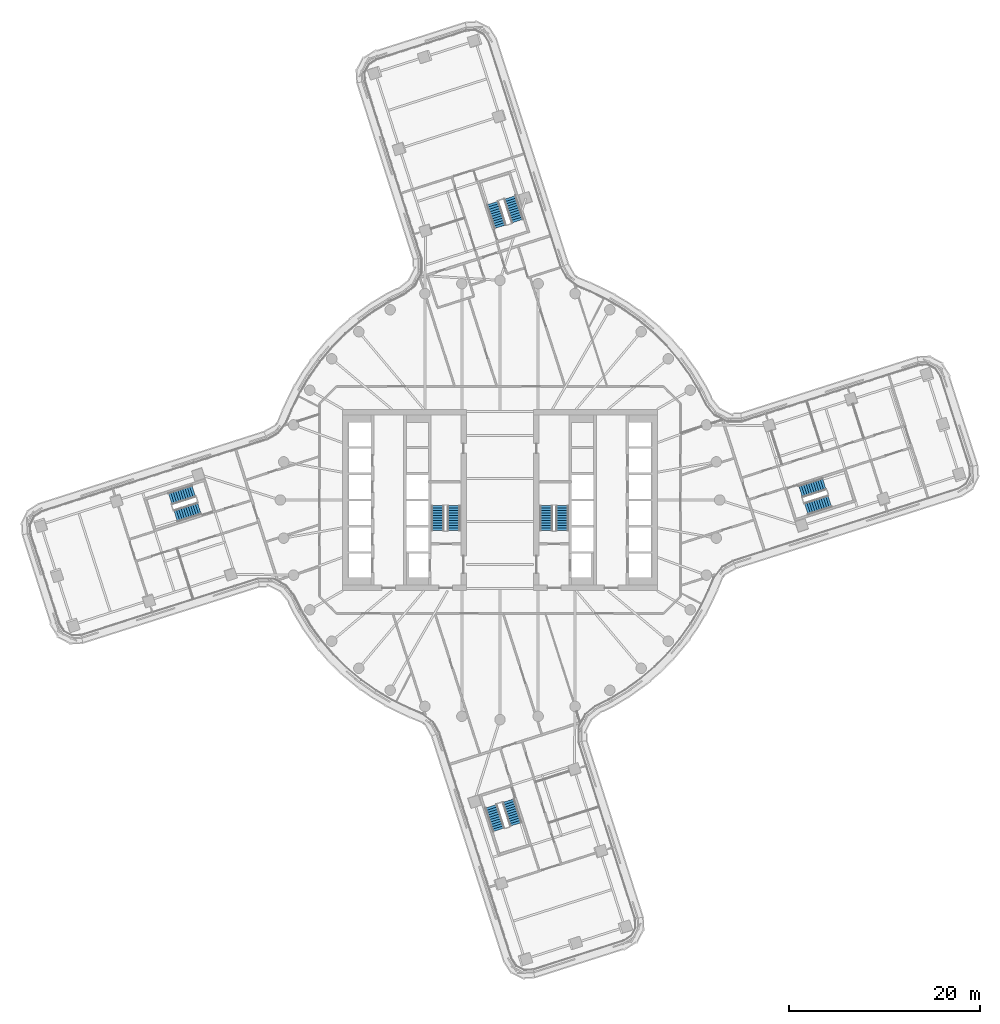
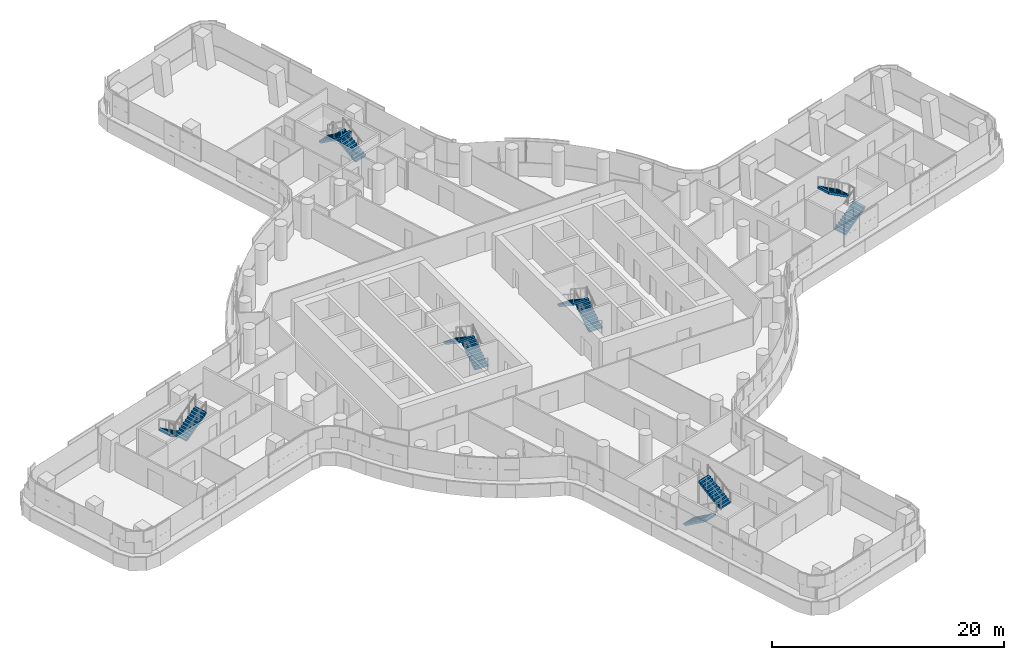
# One storey, part 23 of 30: 12 stair flights, 6 elements without a shape of their own.
"""IFC4 building model written with IfcOpenShell, lengths in metres."""

from ifc_helpers import new_model, si_unit, direction, frame, origin, place, context, subcontext, project, spatial, polyline, outline, extrude, material, type_object, element, aggregate, save


model = new_model("IFC4")

# Units and contexts
model_context = context("Model", 3, precision=1e-05, world=origin(), true_north=direction((0.0, 1.0)))
body_context = subcontext(model_context, "Body", "Model", "MODEL_VIEW")
ifc_project = project(units=[si_unit("LENGTHUNIT", "METRE"), si_unit("AREAUNIT", "SQUARE_METRE"), si_unit("VOLUMEUNIT", "CUBIC_METRE"), si_unit("PLANEANGLEUNIT", "RADIAN"), si_unit("MASSUNIT", "GRAM", prefix="KILO")], contexts=[model_context])

# Site, building, storey
site_placement = place(None, origin())
site = spatial("IfcSite", under=ifc_project, at=site_placement, CompositionType="ELEMENT")
building_placement = place(site_placement, origin())
building = spatial("IfcBuilding", under=site, at=building_placement, Name="Tamarind Cross Interchange Tower", CompositionType="ELEMENT")
storey_placement = place(building_placement, frame((0.0, 0.0, 98.5)))
storey = spatial("IfcBuildingStorey", under=building, at=storey_placement, Name="L23", CompositionType="ELEMENT", Elevation=98.5)

# Stair, stair flights
ifc_material_1 = material(Name="Exit stair")
stair_type = type_object("IfcStairType", Name="Exit stair", PredefinedType="HALF_TURN_STAIR", material=ifc_material_1)
stair_1_placement = place(storey_placement, origin())
stair_1 = element("IfcStair", 1, at=stair_1_placement, inside=storey, type_object=stair_type, Name="L23 exit stair ST1", PredefinedType="HALF_TURN_STAIR")
ifc_material_2 = material(Name="Exit stair flight")
stair_flight_type = type_object("IfcStairFlightType", Name="Exit stair flight", PredefinedType="STRAIGHT", material=ifc_material_2)
stair_flight_1_placement = place(storey_placement, frame((-4.85009765625, -3.199951171875, 0.0), z_axis=(0.0, 0.0, 1.0), x_axis=(0.0, 1.0, 0.0)))
stair_flight_1 = element("IfcStairFlight", 2, at=stair_flight_1_placement, type_object=stair_flight_type, Name="ST1 flight 1", NumberOfRisers=11, NumberOfTreads=10, PredefinedType="STRAIGHT", RiserHeight=0.170454545, TreadLength=0.26, context=body_context, shape_type="SweptSolid", body=[
    extrude(outline(polyline([(0.0, 0.0), (0.0, 0.17041015625), (0.260009765625, 0.17041015625), (0.260009765625, 0.3408203125), (0.52001953125, 0.3408203125), (0.52001953125, 0.511474609375), (0.780029296875, 0.511474609375), (0.780029296875, 0.681884765625), (1.0400390625, 0.681884765625), (1.0400390625, 0.852294921875), (1.300048828125, 0.852294921875), (1.300048828125, 1.022705078125), (1.56005859375, 1.022705078125), (1.56005859375, 1.193115234375), (1.820068359375, 1.193115234375), (1.820068359375, 1.363525390625), (2.080078125, 1.363525390625), (2.080078125, 1.5341796875), (2.340087890625, 1.5341796875), (2.340087890625, 1.70458984375), (2.60009765625, 1.70458984375), (2.60009765625, 1.875), (2.60009765625, 1.525390625), (0.2734375, 0.0), (0.0, 0.0)])), frame((0.0, 0.64990234375, 0.0), z_axis=(0.0, -1.0, 0.0), x_axis=(1.0, 0.0, 0.0)), (0.0, 0.0, 1.0), 1.300048828125),
])
stair_flight_2_placement = place(storey_placement, frame((-6.5, -0.60009765625, 1.875), z_axis=(0.0, 0.0, 1.0), x_axis=(0.0, -1.0, 0.0)))
stair_flight_2 = element("IfcStairFlight", 3, at=stair_flight_2_placement, type_object=stair_flight_type, Name="ST1 flight 2", NumberOfRisers=11, NumberOfTreads=10, PredefinedType="STRAIGHT", RiserHeight=0.170454545, TreadLength=0.26, context=body_context, shape_type="SweptSolid", body=[
    extrude(outline(polyline([(0.0, 0.0), (0.0, 0.17041015625), (0.260009765625, 0.17041015625), (0.260009765625, 0.3408203125), (0.52001953125, 0.3408203125), (0.52001953125, 0.511474609375), (0.780029296875, 0.511474609375), (0.780029296875, 0.681884765625), (1.0400390625, 0.681884765625), (1.0400390625, 0.852294921875), (1.300048828125, 0.852294921875), (1.300048828125, 1.022705078125), (1.56005859375, 1.022705078125), (1.56005859375, 1.193115234375), (1.820068359375, 1.193115234375), (1.820068359375, 1.363525390625), (2.080078125, 1.363525390625), (2.080078125, 1.5341796875), (2.340087890625, 1.5341796875), (2.340087890625, 1.70458984375), (2.60009765625, 1.70458984375), (2.60009765625, 1.7548828125), (2.612060546875, 1.7548828125), (2.612060546875, 1.533203125), (0.2734375, 0.0), (0.0, 0.0)])), frame((0.0, 0.64990234375, 0.0), z_axis=(0.0, -1.0, 0.0), x_axis=(1.0, 0.0, 0.0)), (0.0, 0.0, 1.0), 1.300048828125),
])
aggregate(stair_1, [stair_flight_1, stair_flight_2])

stair_2_placement = place(storey_placement, origin())
stair_2 = element("IfcStair", 4, at=stair_2_placement, inside=storey, type_object=stair_type, Name="L23 exit stair ST2", PredefinedType="HALF_TURN_STAIR")
stair_flight_3_placement = place(storey_placement, frame((6.5, -3.199951171875, 0.0), z_axis=(0.0, 0.0, 1.0), x_axis=(0.0, 1.0, 0.0)))
stair_flight_3 = element("IfcStairFlight", 5, at=stair_flight_3_placement, type_object=stair_flight_type, Name="ST2 flight 1", NumberOfRisers=11, NumberOfTreads=10, PredefinedType="STRAIGHT", RiserHeight=0.170454545, TreadLength=0.26, context=body_context, shape_type="SweptSolid", body=[
    extrude(outline(polyline([(0.0, 0.0), (0.0, 0.17041015625), (0.260009765625, 0.17041015625), (0.260009765625, 0.3408203125), (0.52001953125, 0.3408203125), (0.52001953125, 0.511474609375), (0.780029296875, 0.511474609375), (0.780029296875, 0.681884765625), (1.0400390625, 0.681884765625), (1.0400390625, 0.852294921875), (1.300048828125, 0.852294921875), (1.300048828125, 1.022705078125), (1.56005859375, 1.022705078125), (1.56005859375, 1.193115234375), (1.820068359375, 1.193115234375), (1.820068359375, 1.363525390625), (2.080078125, 1.363525390625), (2.080078125, 1.5341796875), (2.340087890625, 1.5341796875), (2.340087890625, 1.70458984375), (2.60009765625, 1.70458984375), (2.60009765625, 1.875), (2.60009765625, 1.525390625), (0.2734375, 0.0), (0.0, 0.0)])), frame((0.0, 0.64990234375, 0.0), z_axis=(0.0, -1.0, 0.0), x_axis=(1.0, 0.0, 0.0)), (0.0, 0.0, 1.0), 1.300048828125),
])
stair_flight_4_placement = place(storey_placement, frame((4.85009765625, -0.60009765625, 1.875), z_axis=(0.0, 0.0, 1.0), x_axis=(0.0, -1.0, 0.0)))
stair_flight_4 = element("IfcStairFlight", 6, at=stair_flight_4_placement, type_object=stair_flight_type, Name="ST2 flight 2", NumberOfRisers=11, NumberOfTreads=10, PredefinedType="STRAIGHT", RiserHeight=0.170454545, TreadLength=0.26, context=body_context, shape_type="SweptSolid", body=[
    extrude(outline(polyline([(0.0, 0.0), (0.0, 0.17041015625), (0.260009765625, 0.17041015625), (0.260009765625, 0.3408203125), (0.52001953125, 0.3408203125), (0.52001953125, 0.511474609375), (0.780029296875, 0.511474609375), (0.780029296875, 0.681884765625), (1.0400390625, 0.681884765625), (1.0400390625, 0.852294921875), (1.300048828125, 0.852294921875), (1.300048828125, 1.022705078125), (1.56005859375, 1.022705078125), (1.56005859375, 1.193115234375), (1.820068359375, 1.193115234375), (1.820068359375, 1.363525390625), (2.080078125, 1.363525390625), (2.080078125, 1.5341796875), (2.340087890625, 1.5341796875), (2.340087890625, 1.70458984375), (2.60009765625, 1.70458984375), (2.60009765625, 1.7548828125), (2.612060546875, 1.7548828125), (2.612060546875, 1.533203125), (0.2734375, 0.0), (0.0, 0.0)])), frame((0.0, 0.64990234375, 0.0), z_axis=(0.0, -1.0, 0.0), x_axis=(1.0, 0.0, 0.0)), (0.0, 0.0, 1.0), 1.300048828125),
])
aggregate(stair_2, [stair_flight_3, stair_flight_4])

stair_3_placement = place(storey_placement, origin())
stair_3 = element("IfcStair", 7, at=stair_3_placement, inside=storey, type_object=stair_type, Name="L23 exit stair ST3", PredefinedType="HALF_TURN_STAIR")
stair_flight_5_placement = place(storey_placement, frame((32.061767578125, -0.9248046875, 0.0), z_axis=(0.0, 0.0, 1.0), x_axis=(0.95233405785, 0.305057113111, 0.0)))
stair_flight_5 = element("IfcStairFlight", 8, at=stair_flight_5_placement, type_object=stair_flight_type, Name="ST3 flight 1", NumberOfRisers=11, NumberOfTreads=10, PredefinedType="STRAIGHT", RiserHeight=0.170454545, TreadLength=0.26, context=body_context, shape_type="SweptSolid", body=[
    extrude(outline(polyline([(0.0, 0.0), (0.0, 0.17041015625), (0.260009765625, 0.17041015625), (0.260009765625, 0.3408203125), (0.52001953125, 0.3408203125), (0.52001953125, 0.511474609375), (0.780029296875, 0.511474609375), (0.780029296875, 0.681884765625), (1.0400390625, 0.681884765625), (1.0400390625, 0.852294921875), (1.300048828125, 0.852294921875), (1.300048828125, 1.022705078125), (1.56005859375, 1.022705078125), (1.56005859375, 1.193115234375), (1.820068359375, 1.193115234375), (1.820068359375, 1.363525390625), (2.080078125, 1.363525390625), (2.080078125, 1.5341796875), (2.340087890625, 1.5341796875), (2.340087890625, 1.70458984375), (2.60009765625, 1.70458984375), (2.60009765625, 1.875), (2.60009765625, 1.525390625), (0.2734375, 0.0), (0.0, 0.0)])), frame((0.0, 0.64990234375, 0.0), z_axis=(0.0, -1.0, 0.0), x_axis=(1.0, 0.0, 0.0)), (0.0, 0.0, 1.0), 1.300048828125),
])
stair_flight_6_placement = place(storey_placement, frame((33.958251953125, 1.677978515625, 1.875), z_axis=(0.0, 0.0, 1.0), x_axis=(-0.95233405785, -0.305057113111, 0.0)))
stair_flight_6 = element("IfcStairFlight", 9, at=stair_flight_6_placement, type_object=stair_flight_type, Name="ST3 flight 2", NumberOfRisers=11, NumberOfTreads=10, PredefinedType="STRAIGHT", RiserHeight=0.170454545, TreadLength=0.26, context=body_context, shape_type="SweptSolid", body=[
    extrude(outline(polyline([(0.0, 0.0), (0.0, 0.17041015625), (0.260009765625, 0.17041015625), (0.260009765625, 0.3408203125), (0.52001953125, 0.3408203125), (0.52001953125, 0.511474609375), (0.780029296875, 0.511474609375), (0.780029296875, 0.681884765625), (1.0400390625, 0.681884765625), (1.0400390625, 0.852294921875), (1.300048828125, 0.852294921875), (1.300048828125, 1.022705078125), (1.56005859375, 1.022705078125), (1.56005859375, 1.193115234375), (1.820068359375, 1.193115234375), (1.820068359375, 1.363525390625), (2.080078125, 1.363525390625), (2.080078125, 1.5341796875), (2.340087890625, 1.5341796875), (2.340087890625, 1.70458984375), (2.60009765625, 1.70458984375), (2.60009765625, 1.7548828125), (2.612060546875, 1.7548828125), (2.612060546875, 1.533203125), (0.2734375, 0.0), (0.0, 0.0)])), frame((0.0, 0.64990234375, 0.0), z_axis=(0.0, -1.0, 0.0), x_axis=(1.0, 0.0, 0.0)), (0.0, 0.0, 1.0), 1.300048828125),
])
aggregate(stair_3, [stair_flight_5, stair_flight_6])

stair_4_placement = place(storey_placement, origin())
stair_4 = element("IfcStair", 10, at=stair_4_placement, inside=storey, type_object=stair_type, Name="L23 exit stair ST4", PredefinedType="HALF_TURN_STAIR")
stair_flight_7_placement = place(storey_placement, frame((1.83984375, 29.20458984375, 0.0), z_axis=(0.0, 0.0, 1.0), x_axis=(-0.305057113111, 0.95233405785, 0.0)))
stair_flight_7 = element("IfcStairFlight", 11, at=stair_flight_7_placement, type_object=stair_flight_type, Name="ST4 flight 1", NumberOfRisers=11, NumberOfTreads=10, PredefinedType="STRAIGHT", RiserHeight=0.170454545, TreadLength=0.26, context=body_context, shape_type="SweptSolid", body=[
    extrude(outline(polyline([(0.0, 0.0), (0.0, 0.17041015625), (0.260009765625, 0.17041015625), (0.260009765625, 0.3408203125), (0.52001953125, 0.3408203125), (0.52001953125, 0.511474609375), (0.780029296875, 0.511474609375), (0.780029296875, 0.681884765625), (1.0400390625, 0.681884765625), (1.0400390625, 0.852294921875), (1.300048828125, 0.852294921875), (1.300048828125, 1.022705078125), (1.56005859375, 1.022705078125), (1.56005859375, 1.193115234375), (1.820068359375, 1.193115234375), (1.820068359375, 1.363525390625), (2.080078125, 1.363525390625), (2.080078125, 1.5341796875), (2.340087890625, 1.5341796875), (2.340087890625, 1.70458984375), (2.60009765625, 1.70458984375), (2.60009765625, 1.875), (2.60009765625, 1.525390625), (0.2734375, 0.0), (0.0, 0.0)])), frame((0.0, 0.64990234375, 0.0), z_axis=(0.0, -1.0, 0.0), x_axis=(1.0, 0.0, 0.0)), (0.0, 0.0, 1.0), 1.300048828125),
])
stair_flight_8_placement = place(storey_placement, frame((-0.7626953125, 31.10107421875, 1.875), z_axis=(0.0, 0.0, 1.0), x_axis=(0.305057113111, -0.95233405785, 0.0)))
stair_flight_8 = element("IfcStairFlight", 12, at=stair_flight_8_placement, type_object=stair_flight_type, Name="ST4 flight 2", NumberOfRisers=11, NumberOfTreads=10, PredefinedType="STRAIGHT", RiserHeight=0.170454545, TreadLength=0.26, context=body_context, shape_type="SweptSolid", body=[
    extrude(outline(polyline([(0.0, 0.0), (0.0, 0.17041015625), (0.260009765625, 0.17041015625), (0.260009765625, 0.3408203125), (0.52001953125, 0.3408203125), (0.52001953125, 0.511474609375), (0.780029296875, 0.511474609375), (0.780029296875, 0.681884765625), (1.0400390625, 0.681884765625), (1.0400390625, 0.852294921875), (1.300048828125, 0.852294921875), (1.300048828125, 1.022705078125), (1.56005859375, 1.022705078125), (1.56005859375, 1.193115234375), (1.820068359375, 1.193115234375), (1.820068359375, 1.363525390625), (2.080078125, 1.363525390625), (2.080078125, 1.5341796875), (2.340087890625, 1.5341796875), (2.340087890625, 1.70458984375), (2.60009765625, 1.70458984375), (2.60009765625, 1.7548828125), (2.612060546875, 1.7548828125), (2.612060546875, 1.533203125), (0.2734375, 0.0), (0.0, 0.0)])), frame((0.0, 0.64990234375, 0.0), z_axis=(0.0, -1.0, 0.0), x_axis=(1.0, 0.0, 0.0)), (0.0, 0.0, 1.0), 1.300048828125),
])
aggregate(stair_4, [stair_flight_7, stair_flight_8])

stair_5_placement = place(storey_placement, origin())
stair_5 = element("IfcStair", 13, at=stair_5_placement, inside=storey, type_object=stair_type, Name="L23 exit stair ST5", PredefinedType="HALF_TURN_STAIR")
stair_flight_9_placement = place(storey_placement, frame((-32.061767578125, 0.9248046875, 0.0), z_axis=(0.0, 0.0, 1.0), x_axis=(-0.95233405785, -0.305057113111, 0.0)))
stair_flight_9 = element("IfcStairFlight", 14, at=stair_flight_9_placement, type_object=stair_flight_type, Name="ST5 flight 1", NumberOfRisers=11, NumberOfTreads=10, PredefinedType="STRAIGHT", RiserHeight=0.170454545, TreadLength=0.26, context=body_context, shape_type="SweptSolid", body=[
    extrude(outline(polyline([(0.0, 0.0), (0.0, 0.17041015625), (0.260009765625, 0.17041015625), (0.260009765625, 0.3408203125), (0.52001953125, 0.3408203125), (0.52001953125, 0.511474609375), (0.780029296875, 0.511474609375), (0.780029296875, 0.681884765625), (1.0400390625, 0.681884765625), (1.0400390625, 0.852294921875), (1.300048828125, 0.852294921875), (1.300048828125, 1.022705078125), (1.56005859375, 1.022705078125), (1.56005859375, 1.193115234375), (1.820068359375, 1.193115234375), (1.820068359375, 1.363525390625), (2.080078125, 1.363525390625), (2.080078125, 1.5341796875), (2.340087890625, 1.5341796875), (2.340087890625, 1.70458984375), (2.60009765625, 1.70458984375), (2.60009765625, 1.875), (2.60009765625, 1.525390625), (0.2734375, 0.0), (0.0, 0.0)])), frame((0.0, 0.64990234375, 0.0), z_axis=(0.0, -1.0, 0.0), x_axis=(1.0, 0.0, 0.0)), (0.0, 0.0, 1.0), 1.300048828125),
])
stair_flight_10_placement = place(storey_placement, frame((-33.958251953125, -1.677978515625, 1.875), z_axis=(0.0, 0.0, 1.0), x_axis=(0.95233405785, 0.305057113111, 0.0)))
stair_flight_10 = element("IfcStairFlight", 15, at=stair_flight_10_placement, type_object=stair_flight_type, Name="ST5 flight 2", NumberOfRisers=11, NumberOfTreads=10, PredefinedType="STRAIGHT", RiserHeight=0.170454545, TreadLength=0.26, context=body_context, shape_type="SweptSolid", body=[
    extrude(outline(polyline([(0.0, 0.0), (0.0, 0.17041015625), (0.260009765625, 0.17041015625), (0.260009765625, 0.3408203125), (0.52001953125, 0.3408203125), (0.52001953125, 0.511474609375), (0.780029296875, 0.511474609375), (0.780029296875, 0.681884765625), (1.0400390625, 0.681884765625), (1.0400390625, 0.852294921875), (1.300048828125, 0.852294921875), (1.300048828125, 1.022705078125), (1.56005859375, 1.022705078125), (1.56005859375, 1.193115234375), (1.820068359375, 1.193115234375), (1.820068359375, 1.363525390625), (2.080078125, 1.363525390625), (2.080078125, 1.5341796875), (2.340087890625, 1.5341796875), (2.340087890625, 1.70458984375), (2.60009765625, 1.70458984375), (2.60009765625, 1.7548828125), (2.612060546875, 1.7548828125), (2.612060546875, 1.533203125), (0.2734375, 0.0), (0.0, 0.0)])), frame((0.0, 0.64990234375, 0.0), z_axis=(0.0, -1.0, 0.0), x_axis=(1.0, 0.0, 0.0)), (0.0, 0.0, 1.0), 1.300048828125),
])
aggregate(stair_5, [stair_flight_9, stair_flight_10])

stair_6_placement = place(storey_placement, origin())
stair_6 = element("IfcStair", 16, at=stair_6_placement, inside=storey, type_object=stair_type, Name="L23 exit stair ST6", PredefinedType="HALF_TURN_STAIR")
stair_flight_11_placement = place(storey_placement, frame((-0.9248046875, -32.061767578125, 0.0), z_axis=(0.0, 0.0, 1.0), x_axis=(0.305057113111, -0.95233405785, 0.0)))
stair_flight_11 = element("IfcStairFlight", 17, at=stair_flight_11_placement, type_object=stair_flight_type, Name="ST6 flight 1", NumberOfRisers=11, NumberOfTreads=10, PredefinedType="STRAIGHT", RiserHeight=0.170454545, TreadLength=0.26, context=body_context, shape_type="SweptSolid", body=[
    extrude(outline(polyline([(0.0, 0.0), (0.0, 0.17041015625), (0.260009765625, 0.17041015625), (0.260009765625, 0.3408203125), (0.52001953125, 0.3408203125), (0.52001953125, 0.511474609375), (0.780029296875, 0.511474609375), (0.780029296875, 0.681884765625), (1.0400390625, 0.681884765625), (1.0400390625, 0.852294921875), (1.300048828125, 0.852294921875), (1.300048828125, 1.022705078125), (1.56005859375, 1.022705078125), (1.56005859375, 1.193115234375), (1.820068359375, 1.193115234375), (1.820068359375, 1.363525390625), (2.080078125, 1.363525390625), (2.080078125, 1.5341796875), (2.340087890625, 1.5341796875), (2.340087890625, 1.70458984375), (2.60009765625, 1.70458984375), (2.60009765625, 1.875), (2.60009765625, 1.525390625), (0.2734375, 0.0), (0.0, 0.0)])), frame((0.0, 0.64990234375, 0.0), z_axis=(0.0, -1.0, 0.0), x_axis=(1.0, 0.0, 0.0)), (0.0, 0.0, 1.0), 1.300048828125),
])
stair_flight_12_placement = place(storey_placement, frame((1.677978515625, -33.958251953125, 1.875), z_axis=(0.0, 0.0, 1.0), x_axis=(-0.305057113111, 0.95233405785, 0.0)))
stair_flight_12 = element("IfcStairFlight", 18, at=stair_flight_12_placement, type_object=stair_flight_type, Name="ST6 flight 2", NumberOfRisers=11, NumberOfTreads=10, PredefinedType="STRAIGHT", RiserHeight=0.170454545, TreadLength=0.26, context=body_context, shape_type="SweptSolid", body=[
    extrude(outline(polyline([(0.0, 0.0), (0.0, 0.17041015625), (0.260009765625, 0.17041015625), (0.260009765625, 0.3408203125), (0.52001953125, 0.3408203125), (0.52001953125, 0.511474609375), (0.780029296875, 0.511474609375), (0.780029296875, 0.681884765625), (1.0400390625, 0.681884765625), (1.0400390625, 0.852294921875), (1.300048828125, 0.852294921875), (1.300048828125, 1.022705078125), (1.56005859375, 1.022705078125), (1.56005859375, 1.193115234375), (1.820068359375, 1.193115234375), (1.820068359375, 1.363525390625), (2.080078125, 1.363525390625), (2.080078125, 1.5341796875), (2.340087890625, 1.5341796875), (2.340087890625, 1.70458984375), (2.60009765625, 1.70458984375), (2.60009765625, 1.7548828125), (2.612060546875, 1.7548828125), (2.612060546875, 1.533203125), (0.2734375, 0.0), (0.0, 0.0)])), frame((0.0, 0.64990234375, 0.0), z_axis=(0.0, -1.0, 0.0), x_axis=(1.0, 0.0, 0.0)), (0.0, 0.0, 1.0), 1.300048828125),
])
aggregate(stair_6, [stair_flight_11, stair_flight_12])

save(model, "model.ifc")
